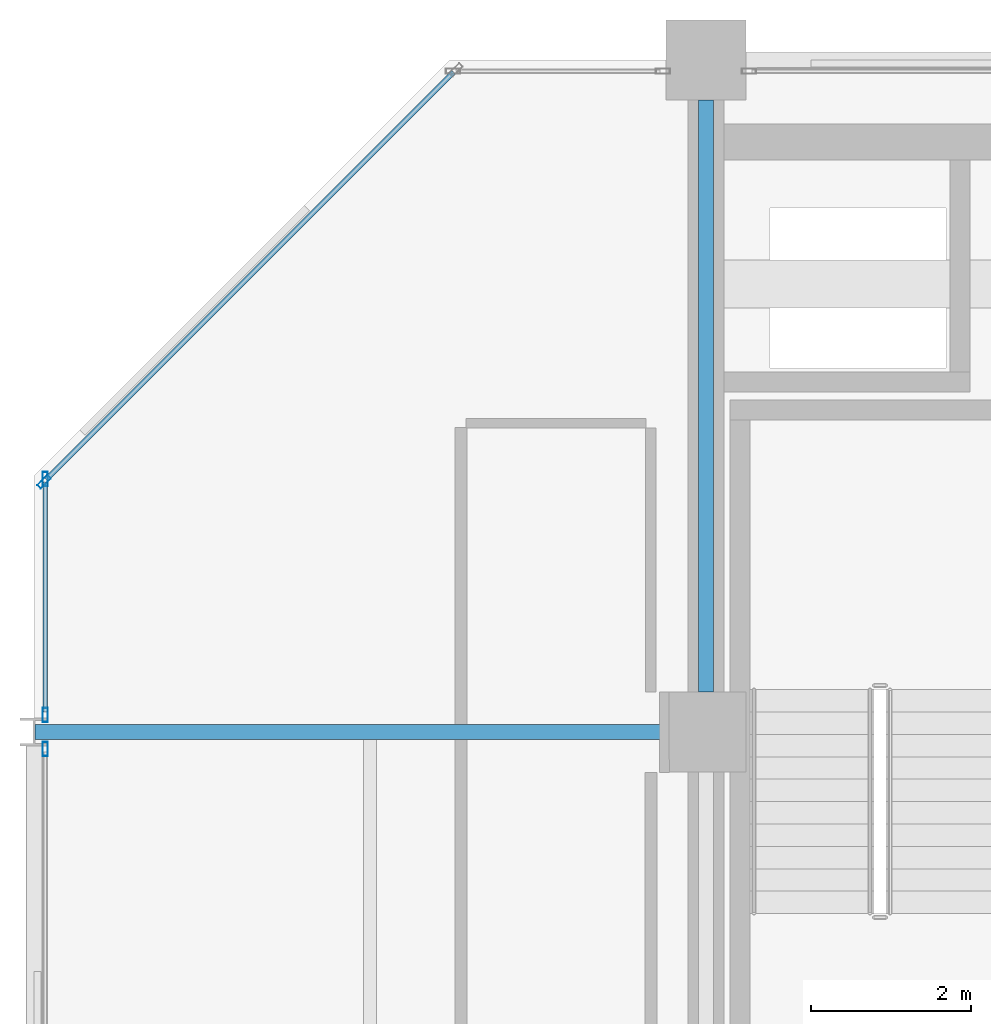
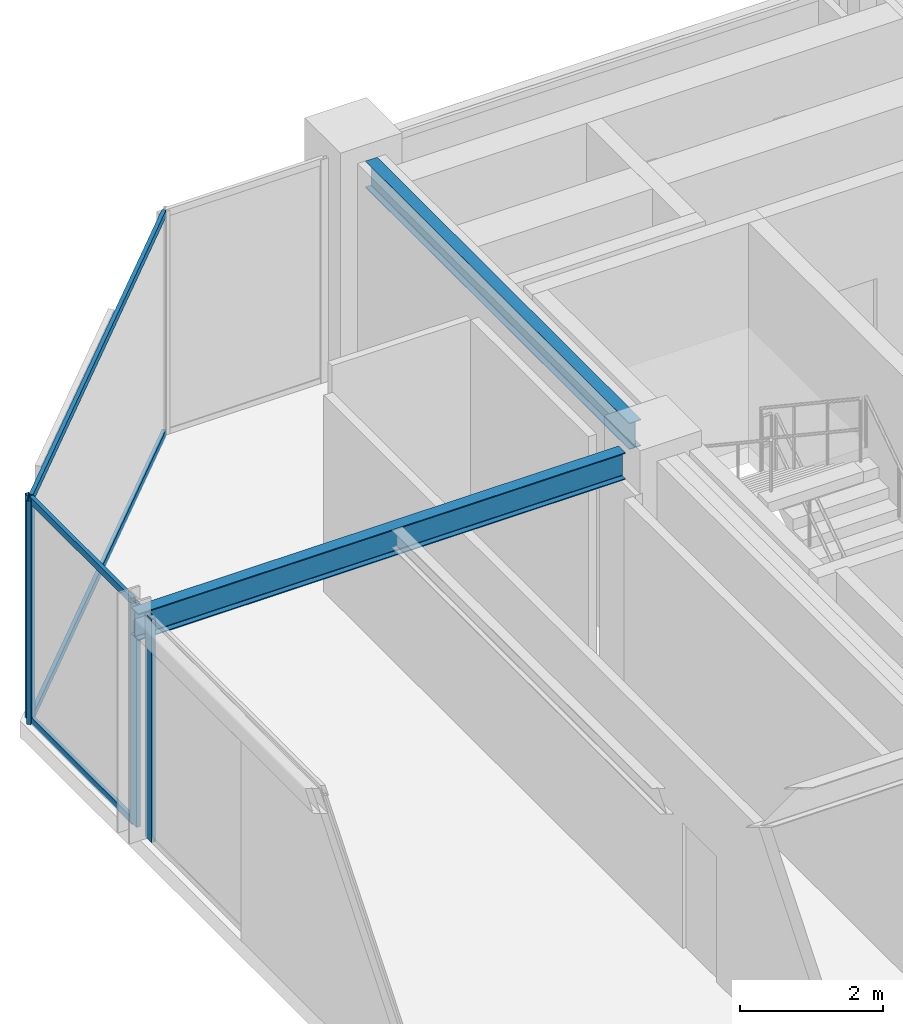
# One storey, part 16 of 25: 8 members, 2 beams, 3 elements without a shape of their own.
"""IFC4 building model written with IfcOpenShell, lengths in metres."""

from ifc_helpers import new_model, si_unit, direction, frame, origin, origin_2d, place, context, subcontext, project, spatial, hollow_rectangle, i_section, extrude, material, layer, layer_set, material_profile, profile_set, type_object, element, aggregate, save


model = new_model("IFC4")

# Units and contexts
model_context = context("Model", 3, precision=1e-05, world=origin(), true_north=direction((0.0, 1.0)))
body_context = subcontext(model_context, "Body", "Model", "MODEL_VIEW")
ifc_project = project(units=[si_unit("LENGTHUNIT", "METRE"), si_unit("AREAUNIT", "SQUARE_METRE"), si_unit("VOLUMEUNIT", "CUBIC_METRE"), si_unit("PLANEANGLEUNIT", "RADIAN"), si_unit("MASSUNIT", "GRAM", prefix="KILO")], contexts=[model_context])

# Site, building, storey
site_placement = place(None, origin())
site = spatial("IfcSite", under=ifc_project, at=site_placement, CompositionType="ELEMENT")
building_placement = place(site_placement, origin())
building = spatial("IfcBuilding", under=site, at=building_placement, Name="Nerrivon Quay Data Exchange", CompositionType="ELEMENT")
storey_placement = place(building_placement, frame((0.0, 0.0, 232.89990234375)))
storey = spatial("IfcBuildingStorey", under=building, at=storey_placement, Name="L55", CompositionType="ELEMENT", Elevation=232.89990234375)

# Beams
ifc_material_1 = material(Name="Steel Grade 350", Category="steel")
ifc_material_profile_1 = material_profile(ifc_material_1, i_section(OverallWidth=0.19091796875, OverallDepth=0.4599609375, WebThickness=0.010009765625, FlangeThickness=0.01611328125, FilletRadius=0.011474609375, at=origin_2d()), Name="460UB82.1")
ifc_profile_set_1 = profile_set([ifc_material_profile_1], Name="Steel Grade 350")
beam_type_1 = type_object("IfcBeamType", Name="BM-G5-460UB82", PredefinedType="BEAM", material=ifc_profile_set_1)
beam_1_placement = place(storey_placement, frame((0.010009765625, 33.60009765625, 3.59521484375), z_axis=(1.0, 0.0, 0.0), x_axis=(0.0, 1.0, 0.0)))
element("IfcBeam", 1, at=beam_1_placement, inside=storey, type_object=beam_type_1, Name="L55 EW Girder Y=33.6 (0.0..8.4)", PredefinedType="BEAM", context=body_context, shape_type="SweptSolid", body=[
    extrude(i_section(OverallWidth=0.19091796875, OverallDepth=0.4599609375, WebThickness=0.010009765625, FlangeThickness=0.01611328125, FilletRadius=0.011474609375, at=origin_2d()), origin(), (0.0, 0.0, 1.0), 7.889892578125),
])
ifc_material_profile_2 = material_profile(ifc_material_1, i_section(OverallWidth=0.18994140625, OverallDepth=0.4541015625, WebThickness=0.008544921875, FlangeThickness=0.0126953125, FilletRadius=0.011474609375, at=origin_2d()), Name="460UB67.1")
ifc_profile_set_2 = profile_set([ifc_material_profile_2], Name="Steel Grade 350")
beam_type_2 = type_object("IfcBeamType", Name="BM-G6-460UB67", PredefinedType="BEAM", material=ifc_profile_set_2)
beam_2_placement = place(storey_placement, frame((8.39990234375, 34.10009765625, 3.59814453125), z_axis=(0.0, 1.0, 0.0), x_axis=(-1.0, 0.0, 0.0)))
element("IfcBeam", 2, at=beam_2_placement, inside=storey, type_object=beam_type_2, Name="L55 NS Girder X=8.4 (33.6..42.0)", PredefinedType="BEAM", context=body_context, shape_type="SweptSolid", body=[
    extrude(i_section(OverallWidth=0.18994140625, OverallDepth=0.4541015625, WebThickness=0.008544921875, FlangeThickness=0.0126953125, FilletRadius=0.011474609375, at=origin_2d()), origin(), (0.0, 0.0, 1.0), 7.39990234375),
])

# Curtain wall, member
ifc_material_2 = material(Name="Anodised aluminium 6063-T6", Category="aluminium")
ifc_layer = layer(ifc_material_2, 0.195068359375)
ifc_layer_set = layer_set([ifc_layer], Name="Anodised aluminium 6063-T6")
curtain_wall_type = type_object("IfcCurtainWallType", Name="CW-SYS-06", PredefinedType="NOTDEFINED", material=ifc_layer_set)
curtain_wall_1_placement = place(storey_placement, origin())
curtain_wall_1 = element("IfcCurtainWall", 3, at=curtain_wall_1_placement, inside=storey, type_object=curtain_wall_type, Name="L55 Unitised Curtain Wall 14", PredefinedType="NOTDEFINED")
ifc_material_profile_3 = material_profile(ifc_material_2, hollow_rectangle(XDim=0.06494140625, YDim=0.179931640625, WallThickness=0.00341796875, at=origin_2d()), Name="ALU-MULL-180x65")
ifc_profile_set_3 = profile_set([ifc_material_profile_3], Name="Anodised aluminium 6063-T6")
member_type_1 = type_object("IfcMemberType", Name="CWM-180x65", PredefinedType="MULLION", material=ifc_profile_set_3)
member_1_placement = place(storey_placement, frame((0.139892578125, 33.387451171875, 0.0), z_axis=(0.0, 0.0, 1.0), x_axis=(-1.0, 0.0, 0.0)))
member_1 = element("IfcMember", 4, at=member_1_placement, type_object=member_type_1, Name="CW06 mullion 2", PredefinedType="MULLION", context=body_context, shape_type="SweptSolid", body=[
    extrude(hollow_rectangle(XDim=0.06494140625, YDim=0.179931640625, WallThickness=0.00341796875, at=origin_2d()), origin(), (0.0, 0.0, 1.0), 3.8251953125),
])
aggregate(curtain_wall_1, [member_1])

# Curtain wall, members
curtain_wall_2_placement = place(storey_placement, origin())
curtain_wall_2 = element("IfcCurtainWall", 5, at=curtain_wall_2_placement, inside=storey, type_object=curtain_wall_type, Name="L55 Unitised Curtain Wall 15", PredefinedType="NOTDEFINED")
member_2_placement = place(storey_placement, frame((0.139892578125, 33.8125, 0.0), z_axis=(0.0, 0.0, 1.0), x_axis=(-1.0, 0.0, 0.0)))
member_2 = element("IfcMember", 6, at=member_2_placement, type_object=member_type_1, Name="CW06 mullion 1", PredefinedType="MULLION", context=body_context, shape_type="SweptSolid", body=[
    extrude(hollow_rectangle(XDim=0.06494140625, YDim=0.179931640625, WallThickness=0.00341796875, at=origin_2d()), origin(), (0.0, 0.0, 1.0), 3.8251953125),
])
member_3_placement = place(storey_placement, frame((0.139892578125, 36.762451171875, 0.0), z_axis=(0.0, 0.0, 1.0), x_axis=(-1.0, 0.0, 0.0)))
member_3 = element("IfcMember", 7, at=member_3_placement, type_object=member_type_1, Name="CW06 mullion 2", PredefinedType="MULLION", context=body_context, shape_type="SweptSolid", body=[
    extrude(hollow_rectangle(XDim=0.06494140625, YDim=0.179931640625, WallThickness=0.00341796875, at=origin_2d()), origin(), (0.0, 0.0, 1.0), 3.8251953125),
])

# Curtain wall, member
curtain_wall_3_placement = place(storey_placement, origin())
curtain_wall_3 = element("IfcCurtainWall", 8, at=curtain_wall_3_placement, inside=storey, type_object=curtain_wall_type, Name="L55 Unitised Curtain Wall 16", PredefinedType="NOTDEFINED")
member_4_placement = place(storey_placement, frame((0.12548828125, 36.7275390625, 0.0), z_axis=(0.0, 0.0, 1.0), x_axis=(-0.707106781187, 0.707106781187, 0.0)))
member_4 = element("IfcMember", 9, at=member_4_placement, type_object=member_type_1, Name="CW06 mullion 1", PredefinedType="MULLION", context=body_context, shape_type="SweptSolid", body=[
    extrude(hollow_rectangle(XDim=0.06494140625, YDim=0.179931640625, WallThickness=0.00341796875, at=origin_2d()), origin(), (0.0, 0.0, 1.0), 3.8251953125),
])

# Member
ifc_material_profile_4 = material_profile(ifc_material_2, hollow_rectangle(XDim=0.06005859375, YDim=0.1201171875, WallThickness=0.003173828125, at=origin_2d()), Name="ALU-TRAN-120x60")
ifc_profile_set_4 = profile_set([ifc_material_profile_4], Name="Anodised aluminium 6063-T6")
member_type_2 = type_object("IfcMemberType", Name="CWT-120x60", PredefinedType="USERDEFINED", material=ifc_profile_set_4)
member_5_placement = place(storey_placement, frame((0.139892578125, 33.85009765625, 0.03271484375), z_axis=(0.0, 1.0, 0.0), x_axis=(-1.0, 0.0, 0.0)))
member_5 = element("IfcMember", 10, at=member_5_placement, type_object=member_type_2, Name="CW06 transom 1.1", ObjectType="TRANSOM", PredefinedType="USERDEFINED", context=body_context, shape_type="SweptSolid", body=[
    extrude(hollow_rectangle(XDim=0.06005859375, YDim=0.1201171875, WallThickness=0.003173828125, at=origin_2d()), origin(), (0.0, 0.0, 1.0), 2.875),
])

member_6_placement = place(storey_placement, frame((0.139892578125, 33.85009765625, 3.79248046875), z_axis=(0.0, 1.0, 0.0), x_axis=(-1.0, 0.0, 0.0)))
member_6 = element("IfcMember", 11, at=member_6_placement, type_object=member_type_2, Name="CW06 transom 1.2", ObjectType="TRANSOM", PredefinedType="USERDEFINED", context=body_context, shape_type="SweptSolid", body=[
    extrude(hollow_rectangle(XDim=0.06005859375, YDim=0.1201171875, WallThickness=0.003173828125, at=origin_2d()), origin(), (0.0, 0.0, 1.0), 2.875),
])

aggregate(curtain_wall_2, [member_2, member_3, member_5, member_6])

member_7_placement = place(storey_placement, frame((0.152099609375, 36.754150390625, 0.03271484375), z_axis=(0.707106781187, 0.707106781187, 0.0), x_axis=(-0.707106781187, 0.707106781187, 0.0)))
member_7 = element("IfcMember", 12, at=member_7_placement, type_object=member_type_2, Name="CW06 transom 1.1", ObjectType="TRANSOM", PredefinedType="USERDEFINED", context=body_context, shape_type="SweptSolid", body=[
    extrude(hollow_rectangle(XDim=0.06005859375, YDim=0.1201171875, WallThickness=0.003173828125, at=origin_2d()), origin(), (0.0, 0.0, 1.0), 7.20361328125),
])

member_8_placement = place(storey_placement, frame((0.152099609375, 36.754150390625, 3.79248046875), z_axis=(0.707106781187, 0.707106781187, 0.0), x_axis=(-0.707106781187, 0.707106781187, 0.0)))
member_8 = element("IfcMember", 13, at=member_8_placement, type_object=member_type_2, Name="CW06 transom 1.2", ObjectType="TRANSOM", PredefinedType="USERDEFINED", context=body_context, shape_type="SweptSolid", body=[
    extrude(hollow_rectangle(XDim=0.06005859375, YDim=0.1201171875, WallThickness=0.003173828125, at=origin_2d()), origin(), (0.0, 0.0, 1.0), 7.20361328125),
])

aggregate(curtain_wall_3, [member_4, member_7, member_8])

save(model, "model.ifc")
